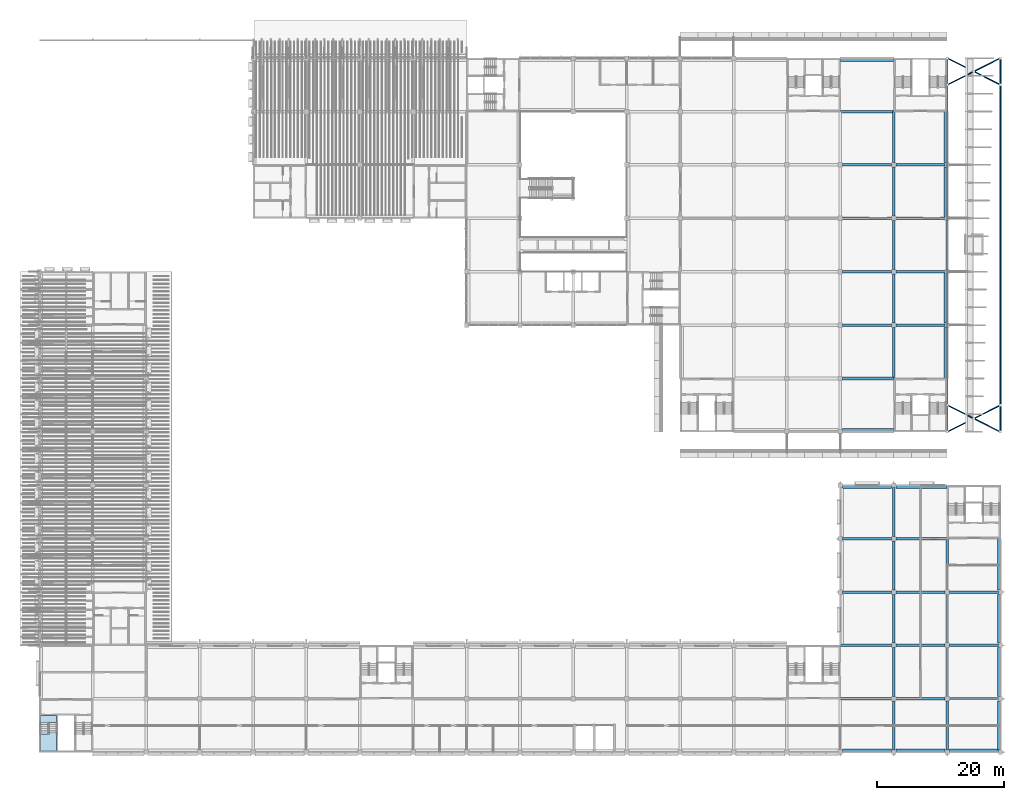
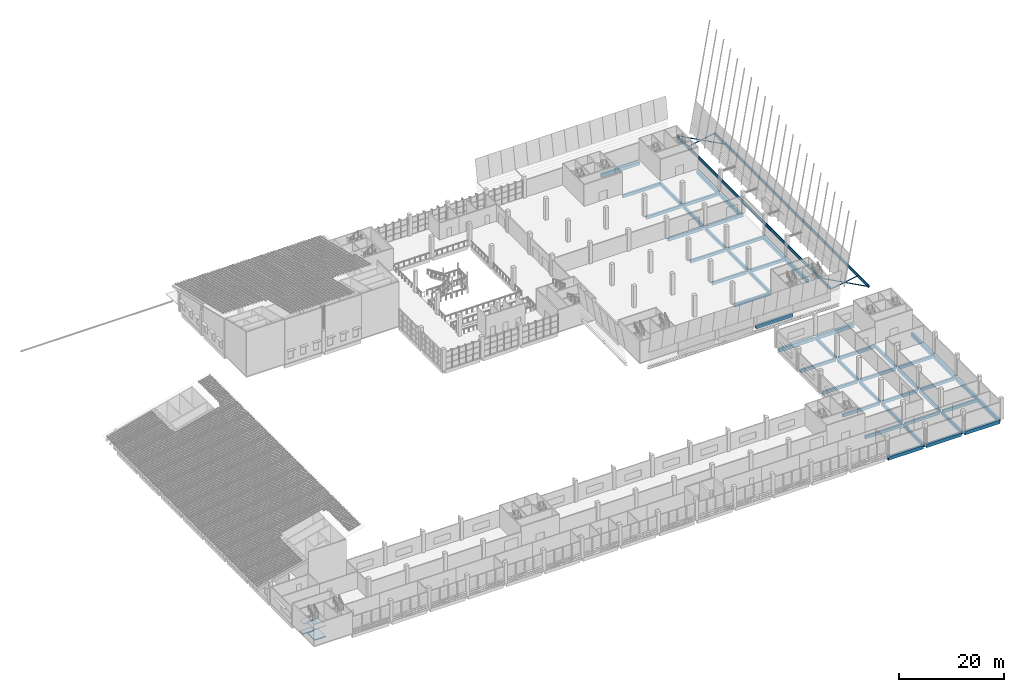
# One storey, part 11 of 82: 64 beams, 6 members, 4 slabs, 1 element without a shape of its own.
"""IFC4 building model written with IfcOpenShell, lengths in metres."""

from ifc_helpers import new_model, si_unit, direction, frame, origin, origin_2d, place, context, subcontext, project, spatial, polyline, rectangle, hollow_circle, i_section, outline, extrude, material, layer, layer_set, material_profile, profile_set, type_object, element, aggregate, save


model = new_model("IFC4")

# Units and contexts
model_context = context("Model", 3, precision=1e-05, world=origin(), true_north=direction((0.0, 1.0)))
body_context = subcontext(model_context, "Body", "Model", "MODEL_VIEW")
ifc_project = project(units=[si_unit("LENGTHUNIT", "METRE"), si_unit("AREAUNIT", "SQUARE_METRE"), si_unit("VOLUMEUNIT", "CUBIC_METRE"), si_unit("PLANEANGLEUNIT", "RADIAN"), si_unit("MASSUNIT", "GRAM", prefix="KILO")], contexts=[model_context])

# Site, building, storey
site_placement = place(None, origin())
site = spatial("IfcSite", under=ifc_project, at=site_placement, CompositionType="ELEMENT")
building_placement = place(site_placement, origin())
building = spatial("IfcBuilding", under=site, at=building_placement, Name="Almond Square Museum", CompositionType="ELEMENT")
storey_placement = place(building_placement, frame((0.0, 0.0, 20.0)))
storey = spatial("IfcBuildingStorey", under=building, at=storey_placement, Name="L03", CompositionType="ELEMENT", Elevation=20.0)

# Beams
ifc_material_1 = material(Name="Concrete C40/50", Category="concrete")
ifc_material_profile_1 = material_profile(ifc_material_1, rectangle(XDim=0.39990234375, YDim=0.699951171875, at=origin_2d()))
ifc_profile_set_1 = profile_set([ifc_material_profile_1], Name="Concrete C40/50")
beam_type_1 = type_object("IfcBeamType", Name="RC beam 400 x 700 C40/50", PredefinedType="BEAM", material=ifc_profile_set_1)
beam_1_placement = place(storey_placement, frame((132.0, 8.39990234375, -0.60009765625), z_axis=(1.0, 0.0, 0.0), x_axis=(0.0, 1.0, 0.0)))
element("IfcBeam", 1, at=beam_1_placement, inside=storey, type_object=beam_type_1, Name="Beam B 17-18 L03", PredefinedType="BEAM", context=body_context, shape_type="SweptSolid", body=[
    extrude(rectangle(XDim=0.39990234375, YDim=0.699951171875, at=origin_2d()), origin(), (0.0, 0.0, 1.0), 8.050048828125),
])
beam_2_placement = place(storey_placement, frame((140.75, 8.39990234375, -0.60009765625), z_axis=(1.0, 0.0, 0.0), x_axis=(0.0, 1.0, 0.0)))
element("IfcBeam", 2, at=beam_2_placement, inside=storey, type_object=beam_type_1, Name="Beam B 18-19 L03", PredefinedType="BEAM", context=body_context, shape_type="SweptSolid", body=[
    extrude(rectangle(XDim=0.39990234375, YDim=0.699951171875, at=origin_2d()), origin(), (0.0, 0.0, 1.0), 7.699951171875),
])
beam_3_placement = place(storey_placement, frame((149.14990234375, 8.39990234375, -0.60009765625), z_axis=(1.0, 0.0, 0.0), x_axis=(0.0, 1.0, 0.0)))
element("IfcBeam", 3, at=beam_3_placement, inside=storey, type_object=beam_type_1, Name="Beam B 19-20 L03", PredefinedType="BEAM", context=body_context, shape_type="SweptSolid", body=[
    extrude(rectangle(XDim=0.39990234375, YDim=0.699951171875, at=origin_2d()), origin(), (0.0, 0.0, 1.0), 7.7001953125),
])
beam_4_placement = place(storey_placement, frame((132.0, 16.800048828125, -0.60009765625), z_axis=(1.0, 0.0, 0.0), x_axis=(0.0, 1.0, 0.0)))
element("IfcBeam", 4, at=beam_4_placement, inside=storey, type_object=beam_type_1, Name="Beam C 17-18 L03", PredefinedType="BEAM", context=body_context, shape_type="SweptSolid", body=[
    extrude(rectangle(XDim=0.39990234375, YDim=0.699951171875, at=origin_2d()), origin(), (0.0, 0.0, 1.0), 8.050048828125),
])
beam_5_placement = place(storey_placement, frame((140.75, 16.800048828125, -0.60009765625), z_axis=(1.0, 0.0, 0.0), x_axis=(0.0, 1.0, 0.0)))
element("IfcBeam", 5, at=beam_5_placement, inside=storey, type_object=beam_type_1, Name="Beam C 18-19 L03", PredefinedType="BEAM", context=body_context, shape_type="SweptSolid", body=[
    extrude(rectangle(XDim=0.39990234375, YDim=0.699951171875, at=origin_2d()), origin(), (0.0, 0.0, 1.0), 7.699951171875),
])
beam_6_placement = place(storey_placement, frame((149.14990234375, 16.800048828125, -0.60009765625), z_axis=(1.0, 0.0, 0.0), x_axis=(0.0, 1.0, 0.0)))
element("IfcBeam", 6, at=beam_6_placement, inside=storey, type_object=beam_type_1, Name="Beam C 19-20 L03", PredefinedType="BEAM", context=body_context, shape_type="SweptSolid", body=[
    extrude(rectangle(XDim=0.39990234375, YDim=0.699951171875, at=origin_2d()), origin(), (0.0, 0.0, 1.0), 7.7001953125),
])
for number, where, z_axis, x_axis, name in (
    (7, (132.35009765625, 25.199951171875, -0.60009765625), (1.0, 0.0, 0.0), (0.0, 1.0, 0.0), "Beam D 17-18 L03"),
    (8, (140.75, 25.199951171875, -0.60009765625), (1.0, 0.0, 0.0), (0.0, 1.0, 0.0), "Beam D 18-19 L03"),
):
    element("IfcBeam", number, at=place(storey_placement, frame(where, z_axis=z_axis, x_axis=x_axis)), inside=storey, type_object=beam_type_1, Name=name, PredefinedType="BEAM", context=body_context, shape_type="SweptSolid", body=[
        extrude(rectangle(XDim=0.39990234375, YDim=0.699951171875, at=origin_2d()), origin(), (0.0, 0.0, 1.0), 7.699951171875),
    ])
beam_7_placement = place(storey_placement, frame((149.14990234375, 25.199951171875, -0.60009765625), z_axis=(1.0, 0.0, 0.0), x_axis=(0.0, 1.0, 0.0)))
element("IfcBeam", 9, at=beam_7_placement, inside=storey, type_object=beam_type_1, Name="Beam D 19-20 L03", PredefinedType="BEAM", context=body_context, shape_type="SweptSolid", body=[
    extrude(rectangle(XDim=0.39990234375, YDim=0.699951171875, at=origin_2d()), origin(), (0.0, 0.0, 1.0), 7.7001953125),
])
beam_8_placement = place(storey_placement, frame((132.35009765625, 33.60009765625, -0.60009765625), z_axis=(1.0, 0.0, 0.0), x_axis=(0.0, 1.0, 0.0)))
element("IfcBeam", 10, at=beam_8_placement, inside=storey, type_object=beam_type_1, Name="Beam E 17-18 L03", PredefinedType="BEAM", context=body_context, shape_type="SweptSolid", body=[
    extrude(rectangle(XDim=0.39990234375, YDim=0.699951171875, at=origin_2d()), origin(), (0.0, 0.0, 1.0), 7.699951171875),
])
beam_9_placement = place(storey_placement, frame((140.75, 33.60009765625, -0.60009765625), z_axis=(1.0, 0.0, 0.0), x_axis=(0.0, 1.0, 0.0)))
element("IfcBeam", 11, at=beam_9_placement, inside=storey, type_object=beam_type_1, Name="Beam E 18-19 L03", PredefinedType="BEAM", context=body_context, shape_type="SweptSolid", body=[
    extrude(rectangle(XDim=0.39990234375, YDim=0.699951171875, at=origin_2d()), origin(), (0.0, 0.0, 1.0), 8.050048828125),
])
beam_10_placement = place(storey_placement, frame((132.35009765625, 58.800048828125, -0.60009765625), z_axis=(1.0, 0.0, 0.0), x_axis=(0.0, 1.0, 0.0)))
element("IfcBeam", 12, at=beam_10_placement, inside=storey, type_object=beam_type_1, Name="Beam H 17-18 L03", PredefinedType="BEAM", context=body_context, shape_type="SweptSolid", body=[
    extrude(rectangle(XDim=0.39990234375, YDim=0.699951171875, at=origin_2d()), origin(), (0.0, 0.0, 1.0), 8.0498046875),
])
for number, where, z_axis, x_axis, name in (
    (13, (132.35009765625, 67.199951171875, -0.60009765625), (1.0, 0.0, 0.0), (0.0, 1.0, 0.0), "Beam I 17-18 L03"),
    (14, (140.75, 67.199951171875, -0.60009765625), (1.0, 0.0, 0.0), (0.0, 1.0, 0.0), "Beam I 18-19 L03"),
    (15, (132.35009765625, 75.60009765625, -0.60009765625), (1.0, 0.0, 0.0), (0.0, 1.0, 0.0), "Beam J 17-18 L03"),
):
    element("IfcBeam", number, at=place(storey_placement, frame(where, z_axis=z_axis, x_axis=x_axis)), inside=storey, type_object=beam_type_1, Name=name, PredefinedType="BEAM", context=body_context, shape_type="SweptSolid", body=[
        extrude(rectangle(XDim=0.39990234375, YDim=0.699951171875, at=origin_2d()), origin(), (0.0, 0.0, 1.0), 7.699951171875),
    ])
beam_11_placement = place(storey_placement, frame((140.75, 75.60009765625, -0.60009765625), z_axis=(1.0, 0.0, 0.0), x_axis=(0.0, 1.0, 0.0)))
element("IfcBeam", 16, at=beam_11_placement, inside=storey, type_object=beam_type_1, Name="Beam J 18-19 L03", PredefinedType="BEAM", context=body_context, shape_type="SweptSolid", body=[
    extrude(rectangle(XDim=0.39990234375, YDim=0.699951171875, at=origin_2d()), origin(), (0.0, 0.0, 1.0), 8.050048828125),
])
beam_12_placement = place(storey_placement, frame((132.35009765625, 84.0, -0.60009765625), z_axis=(1.0, 0.0, 0.0), x_axis=(0.0, 1.0, 0.0)))
element("IfcBeam", 17, at=beam_12_placement, inside=storey, type_object=beam_type_1, Name="Beam K 17-18 L03", PredefinedType="BEAM", context=body_context, shape_type="SweptSolid", body=[
    extrude(rectangle(XDim=0.39990234375, YDim=0.699951171875, at=origin_2d()), origin(), (0.0, 0.0, 1.0), 7.699951171875),
])
beam_13_placement = place(storey_placement, frame((140.75, 84.0, -0.60009765625), z_axis=(1.0, 0.0, 0.0), x_axis=(0.0, 1.0, 0.0)))
element("IfcBeam", 18, at=beam_13_placement, inside=storey, type_object=beam_type_1, Name="Beam K 18-19 L03", PredefinedType="BEAM", context=body_context, shape_type="SweptSolid", body=[
    extrude(rectangle(XDim=0.39990234375, YDim=0.699951171875, at=origin_2d()), origin(), (0.0, 0.0, 1.0), 8.050048828125),
])
for number, where, z_axis, x_axis, name in (
    (19, (132.35009765625, 92.39990234375, -0.60009765625), (1.0, 0.0, 0.0), (0.0, 1.0, 0.0), "Beam L 17-18 L03"),
    (20, (140.75, 92.39990234375, -0.60009765625), (1.0, 0.0, 0.0), (0.0, 1.0, 0.0), "Beam L 18-19 L03"),
):
    element("IfcBeam", number, at=place(storey_placement, frame(where, z_axis=z_axis, x_axis=x_axis)), inside=storey, type_object=beam_type_1, Name=name, PredefinedType="BEAM", context=body_context, shape_type="SweptSolid", body=[
        extrude(rectangle(XDim=0.39990234375, YDim=0.699951171875, at=origin_2d()), origin(), (0.0, 0.0, 1.0), 7.699951171875),
    ])
beam_14_placement = place(storey_placement, frame((132.0, 100.800048828125, -0.60009765625), z_axis=(1.0, 0.0, 0.0), x_axis=(0.0, 1.0, 0.0)))
element("IfcBeam", 21, at=beam_14_placement, inside=storey, type_object=beam_type_1, Name="Beam M 17-18 L03", PredefinedType="BEAM", context=body_context, shape_type="SweptSolid", body=[
    extrude(rectangle(XDim=0.39990234375, YDim=0.699951171875, at=origin_2d()), origin(), (0.0, 0.0, 1.0), 8.39990234375),
])
for number, where, z_axis, x_axis, name in (
    (22, (140.39990234375, 0.35009765625, -0.60009765625), (0.0, 1.0, 0.0), (-1.0, 0.0, 0.0), "Beam 18 A-B L03"),
    (23, (140.39990234375, 8.75, -0.60009765625), (0.0, 1.0, 0.0), (-1.0, 0.0, 0.0), "Beam 18 B-C L03"),
):
    element("IfcBeam", number, at=place(storey_placement, frame(where, z_axis=z_axis, x_axis=x_axis)), inside=storey, type_object=beam_type_1, Name=name, PredefinedType="BEAM", context=body_context, shape_type="SweptSolid", body=[
        extrude(rectangle(XDim=0.39990234375, YDim=0.699951171875, at=origin_2d()), origin(), (0.0, 0.0, 1.0), 7.699951171875),
    ])
beam_15_placement = place(storey_placement, frame((140.39990234375, 17.14990234375, -0.60009765625), z_axis=(0.0, 1.0, 0.0), x_axis=(-1.0, 0.0, 0.0)))
element("IfcBeam", 24, at=beam_15_placement, inside=storey, type_object=beam_type_1, Name="Beam 18 C-D L03", PredefinedType="BEAM", context=body_context, shape_type="SweptSolid", body=[
    extrude(rectangle(XDim=0.39990234375, YDim=0.699951171875, at=origin_2d()), origin(), (0.0, 0.0, 1.0), 7.7001953125),
])
for number, where, z_axis, x_axis, name in (
    (25, (140.39990234375, 25.550048828125, -0.60009765625), (0.0, 1.0, 0.0), (-1.0, 0.0, 0.0), "Beam 18 D-E L03"),
    (26, (140.39990234375, 33.949951171875, -0.60009765625), (0.0, 1.0, 0.0), (-1.0, 0.0, 0.0), "Beam 18 E-F L03"),
):
    element("IfcBeam", number, at=place(storey_placement, frame(where, z_axis=z_axis, x_axis=x_axis)), inside=storey, type_object=beam_type_1, Name=name, PredefinedType="BEAM", context=body_context, shape_type="SweptSolid", body=[
        extrude(rectangle(XDim=0.39990234375, YDim=0.699951171875, at=origin_2d()), origin(), (0.0, 0.0, 1.0), 7.699951171875),
    ])
beam_16_placement = place(storey_placement, frame((140.39990234375, 58.800048828125, -0.60009765625), z_axis=(0.0, 1.0, 0.0), x_axis=(-1.0, 0.0, 0.0)))
element("IfcBeam", 27, at=beam_16_placement, inside=storey, type_object=beam_type_1, Name="Beam 18 H-I L03", PredefinedType="BEAM", context=body_context, shape_type="SweptSolid", body=[
    extrude(rectangle(XDim=0.39990234375, YDim=0.699951171875, at=origin_2d()), origin(), (0.0, 0.0, 1.0), 8.050048828125),
])
for number, where, z_axis, x_axis, name in (
    (28, (140.39990234375, 67.550048828125, -0.60009765625), (0.0, 1.0, 0.0), (-1.0, 0.0, 0.0), "Beam 18 I-J L03"),
    (29, (140.39990234375, 75.949951171875, -0.60009765625), (0.0, 1.0, 0.0), (-1.0, 0.0, 0.0), "Beam 18 J-K L03"),
    (30, (140.39990234375, 84.35009765625, -0.60009765625), (0.0, 1.0, 0.0), (-1.0, 0.0, 0.0), "Beam 18 K-L L03"),
):
    element("IfcBeam", number, at=place(storey_placement, frame(where, z_axis=z_axis, x_axis=x_axis)), inside=storey, type_object=beam_type_1, Name=name, PredefinedType="BEAM", context=body_context, shape_type="SweptSolid", body=[
        extrude(rectangle(XDim=0.39990234375, YDim=0.699951171875, at=origin_2d()), origin(), (0.0, 0.0, 1.0), 7.699951171875),
    ])
beam_17_placement = place(storey_placement, frame((140.39990234375, 92.75, -0.60009765625), z_axis=(0.0, 1.0, 0.0), x_axis=(-1.0, 0.0, 0.0)))
element("IfcBeam", 31, at=beam_17_placement, inside=storey, type_object=beam_type_1, Name="Beam 18 L-M L03", PredefinedType="BEAM", context=body_context, shape_type="SweptSolid", body=[
    extrude(rectangle(XDim=0.39990234375, YDim=0.699951171875, at=origin_2d()), origin(), (0.0, 0.0, 1.0), 8.050048828125),
])
for number, where, z_axis, x_axis, name in (
    (32, (148.800048828125, 0.35009765625, -0.60009765625), (0.0, 1.0, 0.0), (-1.0, 0.0, 0.0), "Beam 19 A-B L03"),
    (33, (148.800048828125, 8.75, -0.60009765625), (0.0, 1.0, 0.0), (-1.0, 0.0, 0.0), "Beam 19 B-C L03"),
):
    element("IfcBeam", number, at=place(storey_placement, frame(where, z_axis=z_axis, x_axis=x_axis)), inside=storey, type_object=beam_type_1, Name=name, PredefinedType="BEAM", context=body_context, shape_type="SweptSolid", body=[
        extrude(rectangle(XDim=0.39990234375, YDim=0.699951171875, at=origin_2d()), origin(), (0.0, 0.0, 1.0), 7.699951171875),
    ])
beam_18_placement = place(storey_placement, frame((148.800048828125, 17.14990234375, -0.60009765625), z_axis=(0.0, 1.0, 0.0), x_axis=(-1.0, 0.0, 0.0)))
element("IfcBeam", 34, at=beam_18_placement, inside=storey, type_object=beam_type_1, Name="Beam 19 C-D L03", PredefinedType="BEAM", context=body_context, shape_type="SweptSolid", body=[
    extrude(rectangle(XDim=0.39990234375, YDim=0.699951171875, at=origin_2d()), origin(), (0.0, 0.0, 1.0), 7.7001953125),
])
beam_19_placement = place(storey_placement, frame((148.800048828125, 25.550048828125, -0.60009765625), z_axis=(0.0, 1.0, 0.0), x_axis=(-1.0, 0.0, 0.0)))
element("IfcBeam", 35, at=beam_19_placement, inside=storey, type_object=beam_type_1, Name="Beam 19 D-E L03", PredefinedType="BEAM", context=body_context, shape_type="SweptSolid", body=[
    extrude(rectangle(XDim=0.39990234375, YDim=0.699951171875, at=origin_2d()), origin(), (0.0, 0.0, 1.0), 8.050048828125),
])
ifc_material_2 = material(Name="Concrete C40/50", Category="concrete")
ifc_material_profile_2 = material_profile(ifc_material_2, rectangle(XDim=0.5, YDim=0.800048828125, at=origin_2d()))
ifc_profile_set_2 = profile_set([ifc_material_profile_2], Name="Concrete C40/50")
beam_type_2 = type_object("IfcBeamType", Name="RC edge beam 500 x 800 C40/50", PredefinedType="BEAM", material=ifc_profile_set_2)
for number, where, z_axis, x_axis, name in (
    (36, (132.35009765625, 0.25, -0.64990234375), (1.0, 0.0, 0.0), (0.0, 1.0, 0.0), "Edge beam A 17-18 L03"),
    (37, (140.75, 0.25, -0.64990234375), (1.0, 0.0, 0.0), (0.0, 1.0, 0.0), "Edge beam A 18-19 L03"),
):
    element("IfcBeam", number, at=place(storey_placement, frame(where, z_axis=z_axis, x_axis=x_axis)), inside=storey, type_object=beam_type_2, Name=name, PredefinedType="BEAM", context=body_context, shape_type="SweptSolid", body=[
        extrude(rectangle(XDim=0.5, YDim=0.800048828125, at=origin_2d()), origin(), (0.0, 0.0, 1.0), 7.699951171875),
    ])
beam_20_placement = place(storey_placement, frame((149.14990234375, 0.25, -0.64990234375), z_axis=(1.0, 0.0, 0.0), x_axis=(0.0, 1.0, 0.0)))
element("IfcBeam", 38, at=beam_20_placement, inside=storey, type_object=beam_type_2, Name="Edge beam A 19-20 L03", PredefinedType="BEAM", context=body_context, shape_type="SweptSolid", body=[
    extrude(rectangle(XDim=0.5, YDim=0.800048828125, at=origin_2d()), origin(), (0.0, 0.0, 1.0), 7.7001953125),
])
beam_21_placement = place(storey_placement, frame((132.35009765625, 41.75, -0.64990234375), z_axis=(1.0, 0.0, 0.0), x_axis=(0.0, 1.0, 0.0)))
element("IfcBeam", 39, at=beam_21_placement, inside=storey, type_object=beam_type_2, Name="Edge beam F 17-18 L03", PredefinedType="BEAM", context=body_context, shape_type="SweptSolid", body=[
    extrude(rectangle(XDim=0.5, YDim=0.800048828125, at=origin_2d()), origin(), (0.0, 0.0, 1.0), 7.699951171875),
])
beam_22_placement = place(storey_placement, frame((140.75, 41.75, -0.64990234375), z_axis=(1.0, 0.0, 0.0), x_axis=(0.0, 1.0, 0.0)))
element("IfcBeam", 40, at=beam_22_placement, inside=storey, type_object=beam_type_2, Name="Edge beam F 18-19 L03", PredefinedType="BEAM", context=body_context, shape_type="SweptSolid", body=[
    extrude(rectangle(XDim=0.5, YDim=0.800048828125, at=origin_2d()), origin(), (0.0, 0.0, 1.0), 8.050048828125),
])
beam_23_placement = place(storey_placement, frame((132.35009765625, 50.64990234375, -0.64990234375), z_axis=(1.0, 0.0, 0.0), x_axis=(0.0, 1.0, 0.0)))
element("IfcBeam", 41, at=beam_23_placement, inside=storey, type_object=beam_type_2, Name="Edge beam G 17-18 L03", PredefinedType="BEAM", context=body_context, shape_type="SweptSolid", body=[
    extrude(rectangle(XDim=0.5, YDim=0.800048828125, at=origin_2d()), origin(), (0.0, 0.0, 1.0), 8.0498046875),
])
beam_24_placement = place(storey_placement, frame((132.0, 108.949951171875, -0.64990234375), z_axis=(1.0, 0.0, 0.0), x_axis=(0.0, 1.0, 0.0)))
element("IfcBeam", 42, at=beam_24_placement, inside=storey, type_object=beam_type_2, Name="Edge beam N 17-18 L03", PredefinedType="BEAM", context=body_context, shape_type="SweptSolid", body=[
    extrude(rectangle(XDim=0.5, YDim=0.800048828125, at=origin_2d()), origin(), (0.0, 0.0, 1.0), 8.39990234375),
])
for number, where, z_axis, x_axis, name in (
    (43, (148.550048828125, 58.800048828125, -0.64990234375), (0.0, 1.0, 0.0), (-1.0, 0.0, 0.0), "Edge beam 19 H-I L03"),
    (44, (148.550048828125, 67.550048828125, -0.64990234375), (0.0, 1.0, 0.0), (-1.0, 0.0, 0.0), "Edge beam 19 I-J L03"),
    (45, (148.550048828125, 84.0, -0.64990234375), (0.0, 1.0, 0.0), (-1.0, 0.0, 0.0), "Edge beam 19 K-L L03"),
    (46, (148.550048828125, 92.75, -0.64990234375), (0.0, 1.0, 0.0), (-1.0, 0.0, 0.0), "Edge beam 19 L-M L03"),
):
    element("IfcBeam", number, at=place(storey_placement, frame(where, z_axis=z_axis, x_axis=x_axis)), inside=storey, type_object=beam_type_2, Name=name, PredefinedType="BEAM", context=body_context, shape_type="SweptSolid", body=[
        extrude(rectangle(XDim=0.5, YDim=0.800048828125, at=origin_2d()), origin(), (0.0, 0.0, 1.0), 8.050048828125),
    ])
for number, where, z_axis, x_axis, name in (
    (47, (156.949951171875, 0.35009765625, -0.64990234375), (0.0, 1.0, 0.0), (-1.0, 0.0, 0.0), "Edge beam 20 A-B L03"),
    (48, (156.949951171875, 8.75, -0.64990234375), (0.0, 1.0, 0.0), (-1.0, 0.0, 0.0), "Edge beam 20 B-C L03"),
):
    element("IfcBeam", number, at=place(storey_placement, frame(where, z_axis=z_axis, x_axis=x_axis)), inside=storey, type_object=beam_type_2, Name=name, PredefinedType="BEAM", context=body_context, shape_type="SweptSolid", body=[
        extrude(rectangle(XDim=0.5, YDim=0.800048828125, at=origin_2d()), origin(), (0.0, 0.0, 1.0), 7.699951171875),
    ])
beam_25_placement = place(storey_placement, frame((156.949951171875, 17.14990234375, -0.64990234375), z_axis=(0.0, 1.0, 0.0), x_axis=(-1.0, 0.0, 0.0)))
element("IfcBeam", 49, at=beam_25_placement, inside=storey, type_object=beam_type_2, Name="Edge beam 20 C-D L03", PredefinedType="BEAM", context=body_context, shape_type="SweptSolid", body=[
    extrude(rectangle(XDim=0.5, YDim=0.800048828125, at=origin_2d()), origin(), (0.0, 0.0, 1.0), 7.7001953125),
])
beam_26_placement = place(storey_placement, frame((156.949951171875, 25.550048828125, -0.64990234375), z_axis=(0.0, 1.0, 0.0), x_axis=(-1.0, 0.0, 0.0)))
element("IfcBeam", 50, at=beam_26_placement, inside=storey, type_object=beam_type_2, Name="Edge beam 20 D-E L03", PredefinedType="BEAM", context=body_context, shape_type="SweptSolid", body=[
    extrude(rectangle(XDim=0.5, YDim=0.800048828125, at=origin_2d()), origin(), (0.0, 0.0, 1.0), 8.050048828125),
])
ifc_material_3 = material(Name="Structural steel S355", Category="steel")
ifc_material_profile_3 = material_profile(ifc_material_3, i_section(OverallWidth=0.208984375, OverallDepth=0.532958984375, WebThickness=0.01025390625, FlangeThickness=0.015625, at=origin_2d()))
ifc_profile_set_3 = profile_set([ifc_material_profile_3], Name="Structural steel S355")
beam_type_3 = type_object("IfcBeamType", Name="Roof beam W530x92", PredefinedType="BEAM", material=ifc_profile_set_3)
beam_27_placement = place(storey_placement, frame((148.800048828125, 50.39990234375, 2.518798828125), z_axis=(0.0, 1.0, 0.0), x_axis=(-0.961523927987, 0.0, 0.274721196687)))
element("IfcBeam", 51, at=beam_27_placement, inside=storey, type_object=beam_type_3, Name="V4E roof beam 1.1", PredefinedType="BEAM", context=body_context, shape_type="SweptSolid", body=[
    extrude(i_section(OverallWidth=0.208984375, OverallDepth=0.532958984375, WebThickness=0.01025390625, FlangeThickness=0.015625, at=origin_2d()), origin(), (0.0, 0.0, 1.0), 8.400146484375),
])
beam_28_placement = place(storey_placement, frame((148.800048828125, 58.800048828125, 2.518798828125), z_axis=(0.0, 1.0, 0.0), x_axis=(-0.961523927987, 0.0, 0.274721196687)))
element("IfcBeam", 52, at=beam_28_placement, inside=storey, type_object=beam_type_3, Name="V4E roof beam 1.2", PredefinedType="BEAM", context=body_context, shape_type="SweptSolid", body=[
    extrude(i_section(OverallWidth=0.208984375, OverallDepth=0.532958984375, WebThickness=0.01025390625, FlangeThickness=0.015625, at=origin_2d()), origin(), (0.0, 0.0, 1.0), 8.39990234375),
])
beam_29_placement = place(storey_placement, frame((148.800048828125, 67.199951171875, 2.518798828125), z_axis=(0.0, 1.0, 0.0), x_axis=(-0.961523927987, 0.0, 0.274721196687)))
element("IfcBeam", 53, at=beam_29_placement, inside=storey, type_object=beam_type_3, Name="V4E roof beam 1.3", PredefinedType="BEAM", context=body_context, shape_type="SweptSolid", body=[
    extrude(i_section(OverallWidth=0.208984375, OverallDepth=0.532958984375, WebThickness=0.01025390625, FlangeThickness=0.015625, at=origin_2d()), origin(), (0.0, 0.0, 1.0), 8.400146484375),
])
for number, where, z_axis, x_axis, name in (
    (54, (148.800048828125, 75.60009765625, 2.518798828125), (0.0, 1.0, 0.0), (-0.961523927987, 0.0, 0.274721196687), "V4E roof beam 1.4"),
    (55, (148.800048828125, 84.0, 2.518798828125), (0.0, 1.0, 0.0), (-0.961523927987, 0.0, 0.274721196687), "V4E roof beam 1.5"),
):
    element("IfcBeam", number, at=place(storey_placement, frame(where, z_axis=z_axis, x_axis=x_axis)), inside=storey, type_object=beam_type_3, Name=name, PredefinedType="BEAM", context=body_context, shape_type="SweptSolid", body=[
        extrude(i_section(OverallWidth=0.208984375, OverallDepth=0.532958984375, WebThickness=0.01025390625, FlangeThickness=0.015625, at=origin_2d()), origin(), (0.0, 0.0, 1.0), 8.39990234375),
    ])
beam_30_placement = place(storey_placement, frame((148.800048828125, 92.39990234375, 2.518798828125), z_axis=(0.0, 1.0, 0.0), x_axis=(-0.961523927987, 0.0, 0.274721196687)))
element("IfcBeam", 56, at=beam_30_placement, inside=storey, type_object=beam_type_3, Name="V4E roof beam 1.6", PredefinedType="BEAM", context=body_context, shape_type="SweptSolid", body=[
    extrude(i_section(OverallWidth=0.208984375, OverallDepth=0.532958984375, WebThickness=0.01025390625, FlangeThickness=0.015625, at=origin_2d()), origin(), (0.0, 0.0, 1.0), 8.400146484375),
])
beam_31_placement = place(storey_placement, frame((148.800048828125, 100.800048828125, 2.518798828125), z_axis=(0.0, 1.0, 0.0), x_axis=(-0.961523927987, 0.0, 0.274721196687)))
element("IfcBeam", 57, at=beam_31_placement, inside=storey, type_object=beam_type_3, Name="V4E roof beam 1.7", PredefinedType="BEAM", context=body_context, shape_type="SweptSolid", body=[
    extrude(i_section(OverallWidth=0.208984375, OverallDepth=0.532958984375, WebThickness=0.01025390625, FlangeThickness=0.015625, at=origin_2d()), origin(), (0.0, 0.0, 1.0), 8.39990234375),
])
beam_32_placement = place(storey_placement, frame((157.199951171875, 50.39990234375, 0.118896484375), z_axis=(0.0, 1.0, 0.0), x_axis=(-0.961523927987, 0.0, 0.274721196687)))
element("IfcBeam", 58, at=beam_32_placement, inside=storey, type_object=beam_type_3, Name="V4E roof beam 2.1", PredefinedType="BEAM", context=body_context, shape_type="SweptSolid", body=[
    extrude(i_section(OverallWidth=0.208984375, OverallDepth=0.532958984375, WebThickness=0.01025390625, FlangeThickness=0.015625, at=origin_2d()), origin(), (0.0, 0.0, 1.0), 8.400146484375),
])
beam_33_placement = place(storey_placement, frame((157.199951171875, 58.800048828125, 0.118896484375), z_axis=(0.0, 1.0, 0.0), x_axis=(-0.961523927987, 0.0, 0.274721196687)))
element("IfcBeam", 59, at=beam_33_placement, inside=storey, type_object=beam_type_3, Name="V4E roof beam 2.2", PredefinedType="BEAM", context=body_context, shape_type="SweptSolid", body=[
    extrude(i_section(OverallWidth=0.208984375, OverallDepth=0.532958984375, WebThickness=0.01025390625, FlangeThickness=0.015625, at=origin_2d()), origin(), (0.0, 0.0, 1.0), 8.39990234375),
])
beam_34_placement = place(storey_placement, frame((157.199951171875, 67.199951171875, 0.118896484375), z_axis=(0.0, 1.0, 0.0), x_axis=(-0.961523927987, 0.0, 0.274721196687)))
element("IfcBeam", 60, at=beam_34_placement, inside=storey, type_object=beam_type_3, Name="V4E roof beam 2.3", PredefinedType="BEAM", context=body_context, shape_type="SweptSolid", body=[
    extrude(i_section(OverallWidth=0.208984375, OverallDepth=0.532958984375, WebThickness=0.01025390625, FlangeThickness=0.015625, at=origin_2d()), origin(), (0.0, 0.0, 1.0), 8.400146484375),
])
for number, where, z_axis, x_axis, name in (
    (61, (157.199951171875, 75.60009765625, 0.118896484375), (0.0, 1.0, 0.0), (-0.961523927987, 0.0, 0.274721196687), "V4E roof beam 2.4"),
    (62, (157.199951171875, 84.0, 0.118896484375), (0.0, 1.0, 0.0), (-0.961523927987, 0.0, 0.274721196687), "V4E roof beam 2.5"),
):
    element("IfcBeam", number, at=place(storey_placement, frame(where, z_axis=z_axis, x_axis=x_axis)), inside=storey, type_object=beam_type_3, Name=name, PredefinedType="BEAM", context=body_context, shape_type="SweptSolid", body=[
        extrude(i_section(OverallWidth=0.208984375, OverallDepth=0.532958984375, WebThickness=0.01025390625, FlangeThickness=0.015625, at=origin_2d()), origin(), (0.0, 0.0, 1.0), 8.39990234375),
    ])
beam_35_placement = place(storey_placement, frame((157.199951171875, 92.39990234375, 0.118896484375), z_axis=(0.0, 1.0, 0.0), x_axis=(-0.961523927987, 0.0, 0.274721196687)))
element("IfcBeam", 63, at=beam_35_placement, inside=storey, type_object=beam_type_3, Name="V4E roof beam 2.6", PredefinedType="BEAM", context=body_context, shape_type="SweptSolid", body=[
    extrude(i_section(OverallWidth=0.208984375, OverallDepth=0.532958984375, WebThickness=0.01025390625, FlangeThickness=0.015625, at=origin_2d()), origin(), (0.0, 0.0, 1.0), 8.400146484375),
])
beam_36_placement = place(storey_placement, frame((157.199951171875, 100.800048828125, 0.118896484375), z_axis=(0.0, 1.0, 0.0), x_axis=(-0.961523927987, 0.0, 0.274721196687)))
element("IfcBeam", 64, at=beam_36_placement, inside=storey, type_object=beam_type_3, Name="V4E roof beam 2.7", PredefinedType="BEAM", context=body_context, shape_type="SweptSolid", body=[
    extrude(i_section(OverallWidth=0.208984375, OverallDepth=0.532958984375, WebThickness=0.01025390625, FlangeThickness=0.015625, at=origin_2d()), origin(), (0.0, 0.0, 1.0), 8.39990234375),
])

# Members
ifc_material_4 = material(Name="Structural steel S355", Category="steel")
ifc_material_profile_4 = material_profile(ifc_material_4, hollow_circle(Radius=0.109619140625, WallThickness=0.010009765625, at=origin_2d()))
ifc_profile_set_4 = profile_set([ifc_material_profile_4], Name="Structural steel S355")
member_type = type_object("IfcMemberType", Name="Roof brace CHS 219.1x10", PredefinedType="BRACE", material=ifc_profile_set_4)
member_1_placement = place(storey_placement, frame((148.820068359375, 50.39990234375, 2.5302734375), z_axis=(0.865785618091, 0.434991407442, -0.247381767636), x_axis=(-0.448945491759, 0.893559144897, 0.0)))
element("IfcMember", 65, at=member_1_placement, inside=storey, type_object=member_type, Name="V4E roof plane brace", PredefinedType="BRACE", context=body_context, shape_type="SweptSolid", body=[
    extrude(hollow_circle(Radius=0.109619140625, WallThickness=0.010009765625, at=origin_2d()), origin(), (0.0, 0.0, 1.0), 9.65576171875),
])
member_2_placement = place(storey_placement, frame((148.820068359375, 54.60009765625, 2.5302734375), z_axis=(0.865785618091, -0.434991407442, -0.247381767636), x_axis=(0.448945491759, 0.893559144897, 0.0)))
element("IfcMember", 66, at=member_2_placement, inside=storey, type_object=member_type, Name="V4E roof plane brace", PredefinedType="BRACE", context=body_context, shape_type="SweptSolid", body=[
    extrude(hollow_circle(Radius=0.109619140625, WallThickness=0.010009765625, at=origin_2d()), origin(), (0.0, 0.0, 1.0), 4.827880859375),
])
member_3_placement = place(storey_placement, frame((148.820068359375, 109.199951171875, 2.5302734375), z_axis=(0.86579514028, -0.434970907022, -0.247384488421), x_axis=(0.448924655564, 0.893569613196, 0.0)))
element("IfcMember", 67, at=member_3_placement, inside=storey, type_object=member_type, Name="V4E roof plane brace", PredefinedType="BRACE", context=body_context, shape_type="SweptSolid", body=[
    extrude(hollow_circle(Radius=0.109619140625, WallThickness=0.010009765625, at=origin_2d()), origin(), (0.0, 0.0, 1.0), 9.65576171875),
])
for number, where, z_axis, x_axis, name in (
    (68, (148.820068359375, 105.0, 2.5302734375), (0.865785618091, 0.434991407442, -0.247381767636), (-0.448945491759, 0.893559144897, 0.0), "V4E roof plane brace"),
    (69, (153.0, 107.10009765625, 1.3359375), (0.865804662231, 0.434950405925, -0.247387209137), (-0.448903818636, 0.893580081254, 0.0), "V4E roof plane brace"),
    (70, (153.0, 52.5, 1.3359375), (0.865785618091, -0.434991407442, -0.247381767636), (0.448945491759, 0.893559144897, 0.0), "V4E roof plane brace"),
):
    element("IfcMember", number, at=place(storey_placement, frame(where, z_axis=z_axis, x_axis=x_axis)), inside=storey, type_object=member_type, Name=name, PredefinedType="BRACE", context=body_context, shape_type="SweptSolid", body=[
        extrude(hollow_circle(Radius=0.109619140625, WallThickness=0.010009765625, at=origin_2d()), origin(), (0.0, 0.0, 1.0), 4.827880859375),
    ])

# Stair, slabs
ifc_material_5 = material(Name="Concrete C40/50", Category="concrete")
stair_type = type_object("IfcStairType", Name="Exit stair 28 risers of 179 mm", PredefinedType="HALF_TURN_STAIR", material=ifc_material_5)
stair_placement = place(storey_placement, origin())
stair = element("IfcStair", 71, at=stair_placement, inside=storey, type_object=stair_type, Name="L03 stair S1-1", PredefinedType="HALF_TURN_STAIR")
ifc_material_6 = material(Name="Concrete C40/50", Category="concrete")
ifc_layer = layer(ifc_material_6, 0.199951171875)
ifc_layer_set = layer_set([ifc_layer], Name="Concrete C40/50")
slab_type = type_object("IfcSlabType", Name="Concrete stair landing 200", PredefinedType="LANDING", material=ifc_layer_set)
slab_1_placement = place(storey_placement, frame((0.0, 0.0, 1.050048828125)))
slab_1 = element("IfcSlab", 72, at=slab_1_placement, type_object=slab_type, Name="ST-27 landing 1", PredefinedType="LANDING", context=body_context, shape_type="SweptSolid", body=[
    extrude(outline(polyline([(6.199951171875, 2.85302734375), (6.199951171875, 0.199951171875), (8.699951171875, 0.199951171875), (8.699951171875, 3.14990234375), (7.550048828125, 3.14990234375), (7.550048828125, 2.85302734375), (6.199951171875, 2.85302734375)])), origin(), (0.0, 0.0, 1.0), 0.199951171875),
])
slab_2_placement = place(storey_placement, frame((0.0, 0.0, 2.300048828125)))
slab_2 = element("IfcSlab", 73, at=slab_2_placement, type_object=slab_type, Name="ST-27 landing 2", PredefinedType="LANDING", context=body_context, shape_type="SweptSolid", body=[
    extrude(outline(polyline([(6.199951171875, 5.800048828125), (6.199951171875, 4.64990234375), (6.199951171875, 4.35009765625), (7.35009765625, 4.35009765625), (7.35009765625, 4.64697265625), (8.699951171875, 4.64697265625), (8.699951171875, 5.800048828125), (6.199951171875, 5.800048828125)])), origin(), (0.0, 0.0, 1.0), 0.199951171875),
])
slab_3_placement = place(storey_placement, frame((0.0, 0.0, 3.550048828125)))
slab_3 = element("IfcSlab", 74, at=slab_3_placement, type_object=slab_type, Name="ST-27 landing 3", PredefinedType="LANDING", context=body_context, shape_type="SweptSolid", body=[
    extrude(outline(polyline([(6.199951171875, 2.85302734375), (6.199951171875, 0.199951171875), (8.699951171875, 0.199951171875), (8.699951171875, 3.14990234375), (7.550048828125, 3.14990234375), (7.550048828125, 2.85302734375), (6.199951171875, 2.85302734375)])), origin(), (0.0, 0.0, 1.0), 0.199951171875),
])
aggregate(stair, [slab_1, slab_2, slab_3])

# Slab
slab_4_placement = place(storey_placement, frame((0.0, 0.0, -0.199951171875)))
element("IfcSlab", 75, at=slab_4_placement, inside=storey, type_object=slab_type, Name="L03 stair S1-1 floor landing", PredefinedType="LANDING", context=body_context, shape_type="SweptSolid", body=[
    extrude(outline(polyline([(6.199951171875, 4.64697265625), (8.699951171875, 4.64697265625), (8.699951171875, 5.800048828125), (6.199951171875, 5.800048828125), (6.199951171875, 4.64697265625)])), origin(), (0.0, 0.0, 1.0), 0.199951171875),
])

save(model, "model.ifc")
